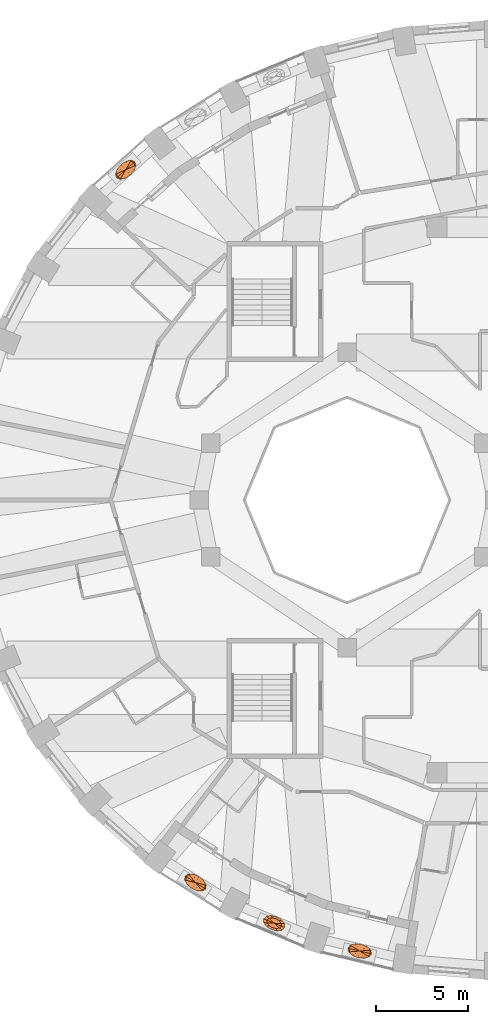
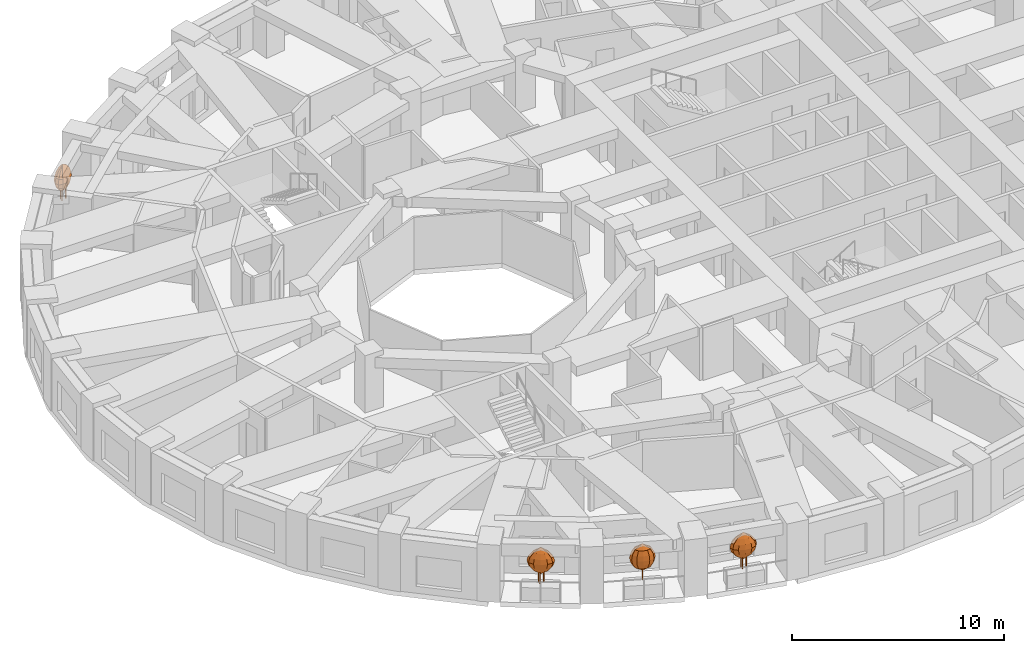
# One storey, part 12 of 13: 4 geographic elements.
"""IFC4 building model written with IfcOpenShell, lengths in metres."""

from ifc_helpers import new_model, si_unit, direction, frame, origin, place, context, subcontext, project, spatial, faceted_brep, material, constituent, constituent_set, type_object, element, save


model = new_model("IFC4")

# Units and contexts
model_context = context("Model", 3, precision=1e-05, world=origin(), true_north=direction((0.0, 1.0)))
body_context = subcontext(model_context, "Body", "Model", "MODEL_VIEW")
ifc_project = project(units=[si_unit("LENGTHUNIT", "METRE"), si_unit("AREAUNIT", "SQUARE_METRE"), si_unit("VOLUMEUNIT", "CUBIC_METRE"), si_unit("PLANEANGLEUNIT", "RADIAN"), si_unit("MASSUNIT", "GRAM", prefix="KILO")], contexts=[model_context])

# Site, building, storey
site_placement = place(None, origin())
site = spatial("IfcSite", under=ifc_project, at=site_placement, CompositionType="ELEMENT")
building_placement = place(site_placement, origin())
building = spatial("IfcBuilding", under=site, at=building_placement, Name="Taillehof Tower", CompositionType="ELEMENT")
storey_placement = place(building_placement, frame((0.0, 0.0, 41.5)))
storey = spatial("IfcBuildingStorey", under=building, at=storey_placement, Name="L10", CompositionType="ELEMENT", Elevation=41.5)

# Geographic elements
ifc_material_1 = material(Name="Tree bark", Category="timber")
ifc_constituent_1 = constituent(ifc_material_1, Name="Trunk", Category="timber")
ifc_material_2 = material(Name="Tree foliage")
ifc_constituent_2 = constituent(ifc_material_2, Name="Crown")
ifc_constituent_set_1 = constituent_set(constituents=[ifc_constituent_1, ifc_constituent_2], Name="Tree TR1 Columnar hornbeam")
geographic_element_type_1 = type_object("IfcGeographicElementType", Name="Tree TR1 Columnar hornbeam", PredefinedType="USERDEFINED", material=ifc_constituent_set_1)
geographic_element_1_placement = place(storey_placement, frame((-11.947509765625, -22.923583984375, 0.75)))
element("IfcGeographicElement", 1, at=geographic_element_1_placement, inside=storey, type_object=geographic_element_type_1, Name="Tree TR1 Columnar hornbeam", ObjectType="TREE", PredefinedType="USERDEFINED", context=body_context, shape_type="Brep", body=[
    faceted_brep([(0.030029296875, 0.0, 0.0), (0.021240234375, 0.021240234375, 0.0), (0.021240234375, 0.021240234375, 1.092529296875), (0.030029296875, 0.0, 1.092529296875), (0.0, 0.030029296875, 0.0), (0.0, 0.030029296875, 1.092529296875), (-0.021240234375, 0.021240234375, 0.0), (-0.021240234375, 0.021240234375, 1.092529296875), (-0.030029296875, 0.0, 0.0), (-0.030029296875, 0.0, 1.092529296875), (-0.021240234375, -0.021240234375, 0.0), (-0.021240234375, -0.021240234375, 1.092529296875), (0.0, -0.030029296875, 0.0), (0.0, -0.030029296875, 1.092529296875), (0.021240234375, -0.021240234375, 0.0), (0.021240234375, -0.021240234375, 1.092529296875)], [[[0, 1, 2, 3]], [[1, 4, 5, 2]], [[4, 6, 7, 5]], [[6, 8, 9, 7]], [[8, 10, 11, 9]], [[10, 12, 13, 11]], [[12, 14, 15, 13]], [[14, 0, 3, 15]], [[14, 12, 10, 8, 6, 4, 1, 0]], [[3, 2, 5, 7, 9, 11, 13, 15]]]),
    faceted_brep([(0.0, 0.0, 0.550048828125), (0.386962890625, -0.020751953125, 0.808349609375), (0.389404296875, -0.162353515625, 0.808349609375), (0.28125, 0.126220703125, 0.808349609375), (0.099853515625, 0.239501953125, 0.808349609375), (-0.108154296875, 0.28857421875, 0.808349609375), (-0.287109375, 0.26025390625, 0.808349609375), (-0.389404296875, 0.162353515625, 0.808349609375), (-0.386962890625, 0.020751953125, 0.808349609375), (-0.28125, -0.126220703125, 0.808349609375), (-0.099853515625, -0.239501953125, 0.808349609375), (0.108154296875, -0.28857421875, 0.808349609375), (0.287109375, -0.26025390625, 0.808349609375), (0.523681640625, -0.028076171875, 1.066650390625), (0.526611328125, -0.219482421875, 1.066650390625), (0.38037109375, 0.1708984375, 1.066650390625), (0.135009765625, 0.323974609375, 1.066650390625), (-0.146240234375, 0.390380859375, 1.066650390625), (-0.388427734375, 0.35205078125, 1.066650390625), (-0.526611328125, 0.219482421875, 1.066650390625), (-0.523681640625, 0.028076171875, 1.066650390625), (-0.38037109375, -0.1708984375, 1.066650390625), (-0.135009765625, -0.323974609375, 1.066650390625), (0.146240234375, -0.390380859375, 1.066650390625), (0.388427734375, -0.35205078125, 1.066650390625), (0.566650390625, -0.0302734375, 1.324951171875), (0.570068359375, -0.237548828125, 1.324951171875), (0.41162109375, 0.18505859375, 1.324951171875), (0.146240234375, 0.350830078125, 1.324951171875), (-0.158447265625, 0.422607421875, 1.324951171875), (-0.42041015625, 0.381103515625, 1.324951171875), (-0.570068359375, 0.237548828125, 1.324951171875), (-0.566650390625, 0.0302734375, 1.324951171875), (-0.41162109375, -0.18505859375, 1.324951171875), (-0.146240234375, -0.350830078125, 1.324951171875), (0.158447265625, -0.422607421875, 1.324951171875), (0.42041015625, -0.381103515625, 1.324951171875), (0.523681640625, -0.028076171875, 1.583251953125), (0.526611328125, -0.219482421875, 1.583251953125), (0.38037109375, 0.1708984375, 1.583251953125), (0.135009765625, 0.323974609375, 1.583251953125), (-0.146240234375, 0.390380859375, 1.583251953125), (-0.388427734375, 0.35205078125, 1.583251953125), (-0.526611328125, 0.219482421875, 1.583251953125), (-0.523681640625, 0.028076171875, 1.583251953125), (-0.38037109375, -0.1708984375, 1.583251953125), (-0.135009765625, -0.323974609375, 1.583251953125), (0.146240234375, -0.390380859375, 1.583251953125), (0.388427734375, -0.35205078125, 1.583251953125), (0.386962890625, -0.020751953125, 1.841552734375), (0.389404296875, -0.162353515625, 1.841552734375), (0.28125, 0.126220703125, 1.841552734375), (0.099853515625, 0.239501953125, 1.841552734375), (-0.108154296875, 0.28857421875, 1.841552734375), (-0.287109375, 0.26025390625, 1.841552734375), (-0.389404296875, 0.162353515625, 1.841552734375), (-0.386962890625, 0.020751953125, 1.841552734375), (-0.28125, -0.126220703125, 1.841552734375), (-0.099853515625, -0.239501953125, 1.841552734375), (0.108154296875, -0.28857421875, 1.841552734375), (0.287109375, -0.26025390625, 1.841552734375), (0.0, 0.0, 2.10009765625)], [[[0, 1, 2]], [[0, 3, 1]], [[0, 4, 3]], [[0, 5, 4]], [[0, 6, 5]], [[0, 7, 6]], [[0, 8, 7]], [[0, 9, 8]], [[0, 10, 9]], [[0, 11, 10]], [[0, 12, 11]], [[0, 2, 12]], [[2, 1, 13, 14]], [[1, 3, 15, 13]], [[3, 4, 16, 15]], [[4, 5, 17, 16]], [[5, 6, 18, 17]], [[6, 7, 19, 18]], [[7, 8, 20, 19]], [[8, 9, 21, 20]], [[9, 10, 22, 21]], [[10, 11, 23, 22]], [[11, 12, 24, 23]], [[12, 2, 14, 24]], [[14, 13, 25, 26]], [[13, 15, 27, 25]], [[15, 16, 28, 27]], [[16, 17, 29, 28]], [[17, 18, 30, 29]], [[18, 19, 31, 30]], [[19, 20, 32, 31]], [[20, 21, 33, 32]], [[21, 22, 34, 33]], [[22, 23, 35, 34]], [[23, 24, 36, 35]], [[24, 14, 26, 36]], [[26, 25, 37, 38]], [[25, 27, 39, 37]], [[27, 28, 40, 39]], [[28, 29, 41, 40]], [[29, 30, 42, 41]], [[30, 31, 43, 42]], [[31, 32, 44, 43]], [[32, 33, 45, 44]], [[33, 34, 46, 45]], [[34, 35, 47, 46]], [[35, 36, 48, 47]], [[36, 26, 38, 48]], [[38, 37, 49, 50]], [[37, 39, 51, 49]], [[39, 40, 52, 51]], [[40, 41, 53, 52]], [[41, 42, 54, 53]], [[42, 43, 55, 54]], [[43, 44, 56, 55]], [[44, 45, 57, 56]], [[45, 46, 58, 57]], [[46, 47, 59, 58]], [[47, 48, 60, 59]], [[48, 38, 50, 60]], [[50, 49, 61]], [[49, 51, 61]], [[51, 52, 61]], [[52, 53, 61]], [[53, 54, 61]], [[54, 55, 61]], [[55, 56, 61]], [[56, 57, 61]], [[57, 58, 61]], [[58, 59, 61]], [[59, 60, 61]], [[60, 50, 61]]]),
])
ifc_material_3 = material(Name="Tree bark", Category="timber")
ifc_constituent_3 = constituent(ifc_material_3, Name="Trunk", Category="timber")
ifc_material_4 = material(Name="Tree foliage")
ifc_constituent_4 = constituent(ifc_material_4, Name="Crown")
ifc_constituent_set_2 = constituent_set(constituents=[ifc_constituent_3, ifc_constituent_4], Name="Tree TR3 Multi-stem serviceberry")
geographic_element_type_2 = type_object("IfcGeographicElementType", Name="Tree TR3 Multi-stem serviceberry", PredefinedType="USERDEFINED", material=ifc_constituent_set_2)
geographic_element_2_placement = place(storey_placement, frame((-16.2158203125, -20.720703125, 0.75)))
element("IfcGeographicElement", 2, at=geographic_element_2_placement, inside=storey, type_object=geographic_element_type_2, Name="Tree TR3 Multi-stem serviceberry", ObjectType="TREE", PredefinedType="USERDEFINED", context=body_context, shape_type="Brep", body=[
    faceted_brep([(0.195068359375, 0.0, 0.0), (0.186767578125, 0.0205078125, 0.0), (0.186767578125, 0.0205078125, 1.04248046875), (0.195068359375, 0.0, 1.04248046875), (0.166259765625, 0.02880859375, 0.0), (0.166259765625, 0.02880859375, 1.04248046875), (0.145751953125, 0.0205078125, 0.0), (0.145751953125, 0.0205078125, 1.04248046875), (0.137451171875, 0.0, 0.0), (0.137451171875, 0.0, 1.04248046875), (0.145751953125, -0.0205078125, 0.0), (0.145751953125, -0.0205078125, 1.04248046875), (0.166259765625, -0.02880859375, 0.0), (0.166259765625, -0.02880859375, 1.04248046875), (0.186767578125, -0.0205078125, 0.0), (0.186767578125, -0.0205078125, 1.04248046875)], [[[0, 1, 2, 3]], [[1, 4, 5, 2]], [[4, 6, 7, 5]], [[6, 8, 9, 7]], [[8, 10, 11, 9]], [[10, 12, 13, 11]], [[12, 14, 15, 13]], [[14, 0, 3, 15]], [[14, 12, 10, 8, 6, 4, 1, 0]], [[3, 2, 5, 7, 9, 11, 13, 15]]]),
    faceted_brep([(-0.05419921875, 0.082275390625, 0.0), (-0.062744140625, 0.102783203125, 0.0), (-0.062744140625, 0.102783203125, 1.04248046875), (-0.05419921875, 0.082275390625, 1.04248046875), (-0.0830078125, 0.111083984375, 0.0), (-0.0830078125, 0.111083984375, 1.04248046875), (-0.103515625, 0.102783203125, 0.0), (-0.103515625, 0.102783203125, 1.04248046875), (-0.112060546875, 0.082275390625, 0.0), (-0.112060546875, 0.082275390625, 1.04248046875), (-0.103515625, 0.061767578125, 0.0), (-0.103515625, 0.061767578125, 1.04248046875), (-0.0830078125, 0.053466796875, 0.0), (-0.0830078125, 0.053466796875, 1.04248046875), (-0.062744140625, 0.061767578125, 0.0), (-0.062744140625, 0.061767578125, 1.04248046875)], [[[0, 1, 2, 3]], [[1, 4, 5, 2]], [[4, 6, 7, 5]], [[6, 8, 9, 7]], [[8, 10, 11, 9]], [[10, 12, 13, 11]], [[12, 14, 15, 13]], [[14, 0, 3, 15]], [[14, 12, 10, 8, 6, 4, 1, 0]], [[3, 2, 5, 7, 9, 11, 13, 15]]]),
    faceted_brep([(-0.05419921875, -0.082275390625, 0.0), (-0.062744140625, -0.061767578125, 0.0), (-0.062744140625, -0.061767578125, 1.04248046875), (-0.05419921875, -0.082275390625, 1.04248046875), (-0.0830078125, -0.053466796875, 0.0), (-0.0830078125, -0.053466796875, 1.04248046875), (-0.103515625, -0.061767578125, 0.0), (-0.103515625, -0.061767578125, 1.04248046875), (-0.112060546875, -0.082275390625, 0.0), (-0.112060546875, -0.082275390625, 1.04248046875), (-0.103515625, -0.102783203125, 0.0), (-0.103515625, -0.102783203125, 1.04248046875), (-0.0830078125, -0.111083984375, 0.0), (-0.0830078125, -0.111083984375, 1.04248046875), (-0.062744140625, -0.102783203125, 0.0), (-0.062744140625, -0.102783203125, 1.04248046875)], [[[0, 1, 2, 3]], [[1, 4, 5, 2]], [[4, 6, 7, 5]], [[6, 8, 9, 7]], [[8, 10, 11, 9]], [[10, 12, 13, 11]], [[12, 14, 15, 13]], [[14, 0, 3, 15]], [[14, 12, 10, 8, 6, 4, 1, 0]], [[3, 2, 5, 7, 9, 11, 13, 15]]]),
    faceted_brep([(0.0, 0.0, 0.5), (0.33837890625, -0.0830078125, 0.75830078125), (0.32373046875, -0.20263671875, 0.75830078125), (0.26220703125, 0.058837890625, 0.75830078125), (0.11572265625, 0.18505859375, 0.75830078125), (-0.0615234375, 0.261474609375, 0.75830078125), (-0.222412109375, 0.26806640625, 0.75830078125), (-0.32373046875, 0.20263671875, 0.75830078125), (-0.33837890625, 0.0830078125, 0.75830078125), (-0.26220703125, -0.058837890625, 0.75830078125), (-0.11572265625, -0.18505859375, 0.75830078125), (0.0615234375, -0.261474609375, 0.75830078125), (0.222412109375, -0.26806640625, 0.75830078125), (0.52490234375, -0.12890625, 1.0166015625), (0.50244140625, -0.314453125, 1.0166015625), (0.40673828125, 0.09130859375, 1.0166015625), (0.1796875, 0.287109375, 1.0166015625), (-0.095703125, 0.40576171875, 1.0166015625), (-0.34521484375, 0.415771484375, 1.0166015625), (-0.50244140625, 0.314453125, 1.0166015625), (-0.52490234375, 0.12890625, 1.0166015625), (-0.40673828125, -0.09130859375, 1.0166015625), (-0.1796875, -0.287109375, 1.0166015625), (0.095703125, -0.40576171875, 1.0166015625), (0.34521484375, -0.415771484375, 1.0166015625), (0.5888671875, -0.14453125, 1.27490234375), (0.563720703125, -0.352783203125, 1.27490234375), (0.45654296875, 0.1025390625, 1.27490234375), (0.20166015625, 0.322021484375, 1.27490234375), (-0.107177734375, 0.455322265625, 1.27490234375), (-0.387451171875, 0.466552734375, 1.27490234375), (-0.563720703125, 0.352783203125, 1.27490234375), (-0.5888671875, 0.14453125, 1.27490234375), (-0.45654296875, -0.1025390625, 1.27490234375), (-0.20166015625, -0.322021484375, 1.27490234375), (0.107177734375, -0.455322265625, 1.27490234375), (0.387451171875, -0.466552734375, 1.27490234375), (0.52490234375, -0.12890625, 1.533447265625), (0.50244140625, -0.314453125, 1.533447265625), (0.40673828125, 0.09130859375, 1.533447265625), (0.1796875, 0.287109375, 1.533447265625), (-0.095703125, 0.40576171875, 1.533447265625), (-0.34521484375, 0.415771484375, 1.533447265625), (-0.50244140625, 0.314453125, 1.533447265625), (-0.52490234375, 0.12890625, 1.533447265625), (-0.40673828125, -0.09130859375, 1.533447265625), (-0.1796875, -0.287109375, 1.533447265625), (0.095703125, -0.40576171875, 1.533447265625), (0.34521484375, -0.415771484375, 1.533447265625), (0.33837890625, -0.0830078125, 1.791748046875), (0.32373046875, -0.20263671875, 1.791748046875), (0.26220703125, 0.058837890625, 1.791748046875), (0.11572265625, 0.18505859375, 1.791748046875), (-0.0615234375, 0.261474609375, 1.791748046875), (-0.222412109375, 0.26806640625, 1.791748046875), (-0.32373046875, 0.20263671875, 1.791748046875), (-0.33837890625, 0.0830078125, 1.791748046875), (-0.26220703125, -0.058837890625, 1.791748046875), (-0.11572265625, -0.18505859375, 1.791748046875), (0.0615234375, -0.261474609375, 1.791748046875), (0.222412109375, -0.26806640625, 1.791748046875), (0.0, 0.0, 2.050048828125)], [[[0, 1, 2]], [[0, 3, 1]], [[0, 4, 3]], [[0, 5, 4]], [[0, 6, 5]], [[0, 7, 6]], [[0, 8, 7]], [[0, 9, 8]], [[0, 10, 9]], [[0, 11, 10]], [[0, 12, 11]], [[0, 2, 12]], [[2, 1, 13, 14]], [[1, 3, 15, 13]], [[3, 4, 16, 15]], [[4, 5, 17, 16]], [[5, 6, 18, 17]], [[6, 7, 19, 18]], [[7, 8, 20, 19]], [[8, 9, 21, 20]], [[9, 10, 22, 21]], [[10, 11, 23, 22]], [[11, 12, 24, 23]], [[12, 2, 14, 24]], [[14, 13, 25, 26]], [[13, 15, 27, 25]], [[15, 16, 28, 27]], [[16, 17, 29, 28]], [[17, 18, 30, 29]], [[18, 19, 31, 30]], [[19, 20, 32, 31]], [[20, 21, 33, 32]], [[21, 22, 34, 33]], [[22, 23, 35, 34]], [[23, 24, 36, 35]], [[24, 14, 26, 36]], [[26, 25, 37, 38]], [[25, 27, 39, 37]], [[27, 28, 40, 39]], [[28, 29, 41, 40]], [[29, 30, 42, 41]], [[30, 31, 43, 42]], [[31, 32, 44, 43]], [[32, 33, 45, 44]], [[33, 34, 46, 45]], [[34, 35, 47, 46]], [[35, 36, 48, 47]], [[36, 26, 38, 48]], [[38, 37, 49, 50]], [[37, 39, 51, 49]], [[39, 40, 52, 51]], [[40, 41, 53, 52]], [[41, 42, 54, 53]], [[42, 43, 55, 54]], [[43, 44, 56, 55]], [[44, 45, 57, 56]], [[45, 46, 58, 57]], [[46, 47, 59, 58]], [[47, 48, 60, 59]], [[48, 38, 50, 60]], [[50, 49, 61]], [[49, 51, 61]], [[51, 52, 61]], [[52, 53, 61]], [[53, 54, 61]], [[54, 55, 61]], [[55, 56, 61]], [[56, 57, 61]], [[57, 58, 61]], [[58, 59, 61]], [[59, 60, 61]], [[60, 50, 61]]]),
])
geographic_element_3_placement = place(storey_placement, frame((-7.31640625, -24.430419921875, 0.75)))
element("IfcGeographicElement", 3, at=geographic_element_3_placement, inside=storey, type_object=geographic_element_type_2, Name="Tree TR3 Multi-stem serviceberry", ObjectType="TREE", PredefinedType="USERDEFINED", context=body_context, shape_type="Brep", body=[
    faceted_brep([(0.195068359375, 0.0, 0.0), (0.186767578125, 0.0205078125, 0.0), (0.186767578125, 0.0205078125, 1.04248046875), (0.195068359375, 0.0, 1.04248046875), (0.166259765625, 0.02880859375, 0.0), (0.166259765625, 0.02880859375, 1.04248046875), (0.145751953125, 0.0205078125, 0.0), (0.145751953125, 0.0205078125, 1.04248046875), (0.137451171875, 0.0, 0.0), (0.137451171875, 0.0, 1.04248046875), (0.145751953125, -0.0205078125, 0.0), (0.145751953125, -0.0205078125, 1.04248046875), (0.166259765625, -0.02880859375, 0.0), (0.166259765625, -0.02880859375, 1.04248046875), (0.186767578125, -0.0205078125, 0.0), (0.186767578125, -0.0205078125, 1.04248046875)], [[[0, 1, 2, 3]], [[1, 4, 5, 2]], [[4, 6, 7, 5]], [[6, 8, 9, 7]], [[8, 10, 11, 9]], [[10, 12, 13, 11]], [[12, 14, 15, 13]], [[14, 0, 3, 15]], [[14, 12, 10, 8, 6, 4, 1, 0]], [[3, 2, 5, 7, 9, 11, 13, 15]]]),
    faceted_brep([(-0.05419921875, 0.082275390625, 0.0), (-0.062744140625, 0.102783203125, 0.0), (-0.062744140625, 0.102783203125, 1.04248046875), (-0.05419921875, 0.082275390625, 1.04248046875), (-0.0830078125, 0.111083984375, 0.0), (-0.0830078125, 0.111083984375, 1.04248046875), (-0.103515625, 0.102783203125, 0.0), (-0.103515625, 0.102783203125, 1.04248046875), (-0.112060546875, 0.082275390625, 0.0), (-0.112060546875, 0.082275390625, 1.04248046875), (-0.103515625, 0.061767578125, 0.0), (-0.103515625, 0.061767578125, 1.04248046875), (-0.0830078125, 0.053466796875, 0.0), (-0.0830078125, 0.053466796875, 1.04248046875), (-0.062744140625, 0.061767578125, 0.0), (-0.062744140625, 0.061767578125, 1.04248046875)], [[[0, 1, 2, 3]], [[1, 4, 5, 2]], [[4, 6, 7, 5]], [[6, 8, 9, 7]], [[8, 10, 11, 9]], [[10, 12, 13, 11]], [[12, 14, 15, 13]], [[14, 0, 3, 15]], [[14, 12, 10, 8, 6, 4, 1, 0]], [[3, 2, 5, 7, 9, 11, 13, 15]]]),
    faceted_brep([(-0.05419921875, -0.082275390625, 0.0), (-0.062744140625, -0.061767578125, 0.0), (-0.062744140625, -0.061767578125, 1.04248046875), (-0.05419921875, -0.082275390625, 1.04248046875), (-0.0830078125, -0.053466796875, 0.0), (-0.0830078125, -0.053466796875, 1.04248046875), (-0.103515625, -0.061767578125, 0.0), (-0.103515625, -0.061767578125, 1.04248046875), (-0.112060546875, -0.082275390625, 0.0), (-0.112060546875, -0.082275390625, 1.04248046875), (-0.103515625, -0.102783203125, 0.0), (-0.103515625, -0.102783203125, 1.04248046875), (-0.0830078125, -0.111083984375, 0.0), (-0.0830078125, -0.111083984375, 1.04248046875), (-0.062744140625, -0.102783203125, 0.0), (-0.062744140625, -0.102783203125, 1.04248046875)], [[[0, 1, 2, 3]], [[1, 4, 5, 2]], [[4, 6, 7, 5]], [[6, 8, 9, 7]], [[8, 10, 11, 9]], [[10, 12, 13, 11]], [[12, 14, 15, 13]], [[14, 0, 3, 15]], [[14, 12, 10, 8, 6, 4, 1, 0]], [[3, 2, 5, 7, 9, 11, 13, 15]]]),
    faceted_brep([(0.0, 0.0, 0.5), (0.34716796875, 0.029052734375, 0.75830078125), (0.371337890625, -0.0888671875, 0.75830078125), (0.229736328125, 0.139404296875, 0.75830078125), (0.05078125, 0.212158203125, 0.75830078125), (-0.1416015625, 0.228271484375, 0.75830078125), (-0.296142578125, 0.18310546875, 0.75830078125), (-0.371337890625, 0.0888671875, 0.75830078125), (-0.34716796875, -0.029052734375, 0.75830078125), (-0.229736328125, -0.139404296875, 0.75830078125), (-0.05078125, -0.212158203125, 0.75830078125), (0.1416015625, -0.228271484375, 0.75830078125), (0.296142578125, -0.18310546875, 0.75830078125), (0.53857421875, 0.045166015625, 1.0166015625), (0.576416015625, -0.13818359375, 1.0166015625), (0.3564453125, 0.21630859375, 1.0166015625), (0.078857421875, 0.329345703125, 1.0166015625), (-0.219970703125, 0.354248046875, 1.0166015625), (-0.459716796875, 0.2841796875, 1.0166015625), (-0.576416015625, 0.13818359375, 1.0166015625), (-0.53857421875, -0.045166015625, 1.0166015625), (-0.3564453125, -0.21630859375, 1.0166015625), (-0.078857421875, -0.329345703125, 1.0166015625), (0.219970703125, -0.354248046875, 1.0166015625), (0.459716796875, -0.2841796875, 1.0166015625), (0.604248046875, 0.050537109375, 1.27490234375), (0.646728515625, -0.15478515625, 1.27490234375), (0.39990234375, 0.24267578125, 1.27490234375), (0.088623046875, 0.36962890625, 1.27490234375), (-0.24658203125, 0.3974609375, 1.27490234375), (-0.515869140625, 0.31884765625, 1.27490234375), (-0.646728515625, 0.15478515625, 1.27490234375), (-0.604248046875, -0.050537109375, 1.27490234375), (-0.39990234375, -0.24267578125, 1.27490234375), (-0.088623046875, -0.36962890625, 1.27490234375), (0.24658203125, -0.3974609375, 1.27490234375), (0.515869140625, -0.31884765625, 1.27490234375), (0.53857421875, 0.045166015625, 1.533447265625), (0.576416015625, -0.13818359375, 1.533447265625), (0.3564453125, 0.21630859375, 1.533447265625), (0.078857421875, 0.329345703125, 1.533447265625), (-0.219970703125, 0.354248046875, 1.533447265625), (-0.459716796875, 0.2841796875, 1.533447265625), (-0.576416015625, 0.13818359375, 1.533447265625), (-0.53857421875, -0.045166015625, 1.533447265625), (-0.3564453125, -0.21630859375, 1.533447265625), (-0.078857421875, -0.329345703125, 1.533447265625), (0.219970703125, -0.354248046875, 1.533447265625), (0.459716796875, -0.2841796875, 1.533447265625), (0.34716796875, 0.029052734375, 1.791748046875), (0.371337890625, -0.0888671875, 1.791748046875), (0.229736328125, 0.139404296875, 1.791748046875), (0.05078125, 0.212158203125, 1.791748046875), (-0.1416015625, 0.228271484375, 1.791748046875), (-0.296142578125, 0.18310546875, 1.791748046875), (-0.371337890625, 0.0888671875, 1.791748046875), (-0.34716796875, -0.029052734375, 1.791748046875), (-0.229736328125, -0.139404296875, 1.791748046875), (-0.05078125, -0.212158203125, 1.791748046875), (0.1416015625, -0.228271484375, 1.791748046875), (0.296142578125, -0.18310546875, 1.791748046875), (0.0, 0.0, 2.050048828125)], [[[0, 1, 2]], [[0, 3, 1]], [[0, 4, 3]], [[0, 5, 4]], [[0, 6, 5]], [[0, 7, 6]], [[0, 8, 7]], [[0, 9, 8]], [[0, 10, 9]], [[0, 11, 10]], [[0, 12, 11]], [[0, 2, 12]], [[2, 1, 13, 14]], [[1, 3, 15, 13]], [[3, 4, 16, 15]], [[4, 5, 17, 16]], [[5, 6, 18, 17]], [[6, 7, 19, 18]], [[7, 8, 20, 19]], [[8, 9, 21, 20]], [[9, 10, 22, 21]], [[10, 11, 23, 22]], [[11, 12, 24, 23]], [[12, 2, 14, 24]], [[14, 13, 25, 26]], [[13, 15, 27, 25]], [[15, 16, 28, 27]], [[16, 17, 29, 28]], [[17, 18, 30, 29]], [[18, 19, 31, 30]], [[19, 20, 32, 31]], [[20, 21, 33, 32]], [[21, 22, 34, 33]], [[22, 23, 35, 34]], [[23, 24, 36, 35]], [[24, 14, 26, 36]], [[26, 25, 37, 38]], [[25, 27, 39, 37]], [[27, 28, 40, 39]], [[28, 29, 41, 40]], [[29, 30, 42, 41]], [[30, 31, 43, 42]], [[31, 32, 44, 43]], [[32, 33, 45, 44]], [[33, 34, 46, 45]], [[34, 35, 47, 46]], [[35, 36, 48, 47]], [[36, 26, 38, 48]], [[38, 37, 49, 50]], [[37, 39, 51, 49]], [[39, 40, 52, 51]], [[40, 41, 53, 52]], [[41, 42, 54, 53]], [[42, 43, 55, 54]], [[43, 44, 56, 55]], [[44, 45, 57, 56]], [[45, 46, 58, 57]], [[46, 47, 59, 58]], [[47, 48, 60, 59]], [[48, 38, 50, 60]], [[50, 49, 61]], [[49, 51, 61]], [[51, 52, 61]], [[52, 53, 61]], [[53, 54, 61]], [[54, 55, 61]], [[55, 56, 61]], [[56, 57, 61]], [[57, 58, 61]], [[58, 59, 61]], [[59, 60, 61]], [[60, 50, 61]]]),
])
geographic_element_4_placement = place(storey_placement, frame((-19.9921875, 17.8876953125, 0.75)))
element("IfcGeographicElement", 4, at=geographic_element_4_placement, inside=storey, type_object=geographic_element_type_2, Name="Tree TR3 Multi-stem serviceberry", ObjectType="TREE", PredefinedType="USERDEFINED", context=body_context, shape_type="Brep", body=[
    faceted_brep([(0.195068359375, 0.0, 0.0), (0.186767578125, 0.0205078125, 0.0), (0.186767578125, 0.0205078125, 1.04248046875), (0.195068359375, 0.0, 1.04248046875), (0.166259765625, 0.02880859375, 0.0), (0.166259765625, 0.02880859375, 1.04248046875), (0.145751953125, 0.0205078125, 0.0), (0.145751953125, 0.0205078125, 1.04248046875), (0.137451171875, 0.0, 0.0), (0.137451171875, 0.0, 1.04248046875), (0.145751953125, -0.0205078125, 0.0), (0.145751953125, -0.0205078125, 1.04248046875), (0.166259765625, -0.02880859375, 0.0), (0.166259765625, -0.02880859375, 1.04248046875), (0.186767578125, -0.0205078125, 0.0), (0.186767578125, -0.0205078125, 1.04248046875)], [[[0, 1, 2, 3]], [[1, 4, 5, 2]], [[4, 6, 7, 5]], [[6, 8, 9, 7]], [[8, 10, 11, 9]], [[10, 12, 13, 11]], [[12, 14, 15, 13]], [[14, 0, 3, 15]], [[14, 12, 10, 8, 6, 4, 1, 0]], [[3, 2, 5, 7, 9, 11, 13, 15]]]),
    faceted_brep([(-0.05419921875, 0.082275390625, 0.0), (-0.062744140625, 0.102783203125, 0.0), (-0.062744140625, 0.102783203125, 1.04248046875), (-0.05419921875, 0.082275390625, 1.04248046875), (-0.0830078125, 0.111083984375, 0.0), (-0.0830078125, 0.111083984375, 1.04248046875), (-0.103515625, 0.102783203125, 0.0), (-0.103515625, 0.102783203125, 1.04248046875), (-0.112060546875, 0.082275390625, 0.0), (-0.112060546875, 0.082275390625, 1.04248046875), (-0.103515625, 0.061767578125, 0.0), (-0.103515625, 0.061767578125, 1.04248046875), (-0.0830078125, 0.053466796875, 0.0), (-0.0830078125, 0.053466796875, 1.04248046875), (-0.062744140625, 0.061767578125, 0.0), (-0.062744140625, 0.061767578125, 1.04248046875)], [[[0, 1, 2, 3]], [[1, 4, 5, 2]], [[4, 6, 7, 5]], [[6, 8, 9, 7]], [[8, 10, 11, 9]], [[10, 12, 13, 11]], [[12, 14, 15, 13]], [[14, 0, 3, 15]], [[14, 12, 10, 8, 6, 4, 1, 0]], [[3, 2, 5, 7, 9, 11, 13, 15]]]),
    faceted_brep([(-0.05419921875, -0.082275390625, 0.0), (-0.062744140625, -0.061767578125, 0.0), (-0.062744140625, -0.061767578125, 1.04248046875), (-0.05419921875, -0.082275390625, 1.04248046875), (-0.0830078125, -0.053466796875, 0.0), (-0.0830078125, -0.053466796875, 1.04248046875), (-0.103515625, -0.061767578125, 0.0), (-0.103515625, -0.061767578125, 1.04248046875), (-0.112060546875, -0.082275390625, 0.0), (-0.112060546875, -0.082275390625, 1.04248046875), (-0.103515625, -0.102783203125, 0.0), (-0.103515625, -0.102783203125, 1.04248046875), (-0.0830078125, -0.111083984375, 0.0), (-0.0830078125, -0.111083984375, 1.04248046875), (-0.062744140625, -0.102783203125, 0.0), (-0.062744140625, -0.102783203125, 1.04248046875)], [[[0, 1, 2, 3]], [[1, 4, 5, 2]], [[4, 6, 7, 5]], [[6, 8, 9, 7]], [[8, 10, 11, 9]], [[10, 12, 13, 11]], [[12, 14, 15, 13]], [[14, 0, 3, 15]], [[14, 12, 10, 8, 6, 4, 1, 0]], [[3, 2, 5, 7, 9, 11, 13, 15]]]),
    faceted_brep([(0.0, 0.0, 0.5), (-0.173828125, -0.3017578125, 0.75830078125), (-0.28466796875, -0.254638671875, 0.75830078125), (-0.016357421875, -0.268310546875, 0.75830078125), (0.1455078125, -0.16259765625, 0.75830078125), (0.268310546875, -0.013671875, 0.75830078125), (0.3193359375, 0.13916015625, 0.75830078125), (0.28466796875, 0.254638671875, 0.75830078125), (0.173828125, 0.3017578125, 0.75830078125), (0.016357421875, 0.268310546875, 0.75830078125), (-0.1455078125, 0.16259765625, 0.75830078125), (-0.268310546875, 0.013671875, 0.75830078125), (-0.3193359375, -0.13916015625, 0.75830078125), (-0.269775390625, -0.46826171875, 1.0166015625), (-0.44189453125, -0.39501953125, 1.0166015625), (-0.025390625, -0.416259765625, 1.0166015625), (0.225830078125, -0.25244140625, 1.0166015625), (0.41650390625, -0.021240234375, 1.0166015625), (0.49560546875, 0.2158203125, 1.0166015625), (0.44189453125, 0.39501953125, 1.0166015625), (0.269775390625, 0.46826171875, 1.0166015625), (0.025390625, 0.416259765625, 1.0166015625), (-0.225830078125, 0.25244140625, 1.0166015625), (-0.41650390625, 0.021240234375, 1.0166015625), (-0.49560546875, -0.2158203125, 1.0166015625), (-0.302734375, -0.525390625, 1.27490234375), (-0.495849609375, -0.443115234375, 1.27490234375), (-0.028564453125, -0.467041015625, 1.27490234375), (0.253173828125, -0.283203125, 1.27490234375), (0.46728515625, -0.023681640625, 1.27490234375), (0.555908203125, 0.2421875, 1.27490234375), (0.495849609375, 0.443115234375, 1.27490234375), (0.302734375, 0.525390625, 1.27490234375), (0.028564453125, 0.467041015625, 1.27490234375), (-0.253173828125, 0.283203125, 1.27490234375), (-0.46728515625, 0.023681640625, 1.27490234375), (-0.555908203125, -0.2421875, 1.27490234375), (-0.269775390625, -0.46826171875, 1.533447265625), (-0.44189453125, -0.39501953125, 1.533447265625), (-0.025390625, -0.416259765625, 1.533447265625), (0.225830078125, -0.25244140625, 1.533447265625), (0.41650390625, -0.021240234375, 1.533447265625), (0.49560546875, 0.2158203125, 1.533447265625), (0.44189453125, 0.39501953125, 1.533447265625), (0.269775390625, 0.46826171875, 1.533447265625), (0.025390625, 0.416259765625, 1.533447265625), (-0.225830078125, 0.25244140625, 1.533447265625), (-0.41650390625, 0.021240234375, 1.533447265625), (-0.49560546875, -0.2158203125, 1.533447265625), (-0.173828125, -0.3017578125, 1.791748046875), (-0.28466796875, -0.254638671875, 1.791748046875), (-0.016357421875, -0.268310546875, 1.791748046875), (0.1455078125, -0.16259765625, 1.791748046875), (0.268310546875, -0.013671875, 1.791748046875), (0.3193359375, 0.13916015625, 1.791748046875), (0.28466796875, 0.254638671875, 1.791748046875), (0.173828125, 0.3017578125, 1.791748046875), (0.016357421875, 0.268310546875, 1.791748046875), (-0.1455078125, 0.16259765625, 1.791748046875), (-0.268310546875, 0.013671875, 1.791748046875), (-0.3193359375, -0.13916015625, 1.791748046875), (0.0, 0.0, 2.050048828125)], [[[0, 1, 2]], [[0, 3, 1]], [[0, 4, 3]], [[0, 5, 4]], [[0, 6, 5]], [[0, 7, 6]], [[0, 8, 7]], [[0, 9, 8]], [[0, 10, 9]], [[0, 11, 10]], [[0, 12, 11]], [[0, 2, 12]], [[2, 1, 13, 14]], [[1, 3, 15, 13]], [[3, 4, 16, 15]], [[4, 5, 17, 16]], [[5, 6, 18, 17]], [[6, 7, 19, 18]], [[7, 8, 20, 19]], [[8, 9, 21, 20]], [[9, 10, 22, 21]], [[10, 11, 23, 22]], [[11, 12, 24, 23]], [[12, 2, 14, 24]], [[14, 13, 25, 26]], [[13, 15, 27, 25]], [[15, 16, 28, 27]], [[16, 17, 29, 28]], [[17, 18, 30, 29]], [[18, 19, 31, 30]], [[19, 20, 32, 31]], [[20, 21, 33, 32]], [[21, 22, 34, 33]], [[22, 23, 35, 34]], [[23, 24, 36, 35]], [[24, 14, 26, 36]], [[26, 25, 37, 38]], [[25, 27, 39, 37]], [[27, 28, 40, 39]], [[28, 29, 41, 40]], [[29, 30, 42, 41]], [[30, 31, 43, 42]], [[31, 32, 44, 43]], [[32, 33, 45, 44]], [[33, 34, 46, 45]], [[34, 35, 47, 46]], [[35, 36, 48, 47]], [[36, 26, 38, 48]], [[38, 37, 49, 50]], [[37, 39, 51, 49]], [[39, 40, 52, 51]], [[40, 41, 53, 52]], [[41, 42, 54, 53]], [[42, 43, 55, 54]], [[43, 44, 56, 55]], [[44, 45, 57, 56]], [[45, 46, 58, 57]], [[46, 47, 59, 58]], [[47, 48, 60, 59]], [[48, 38, 50, 60]], [[50, 49, 61]], [[49, 51, 61]], [[51, 52, 61]], [[52, 53, 61]], [[53, 54, 61]], [[54, 55, 61]], [[55, 56, 61]], [[56, 57, 61]], [[57, 58, 61]], [[58, 59, 61]], [[59, 60, 61]], [[60, 50, 61]]]),
])

save(model, "model.ifc")
